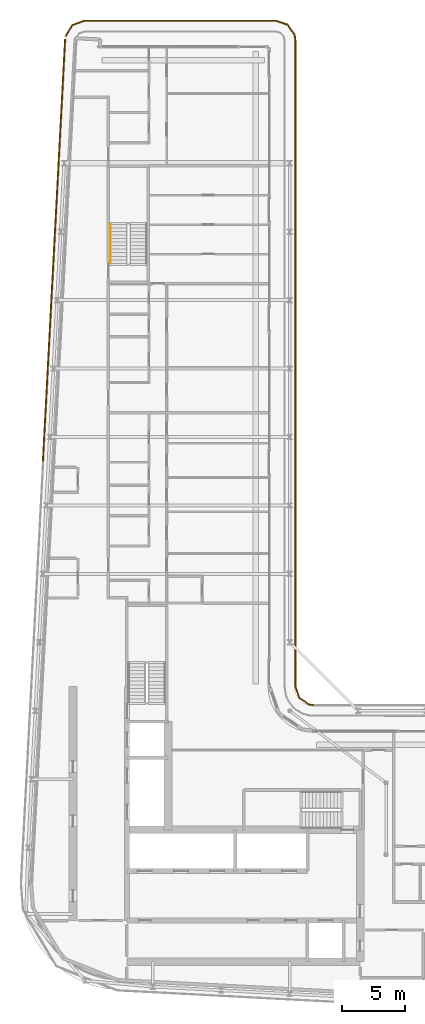
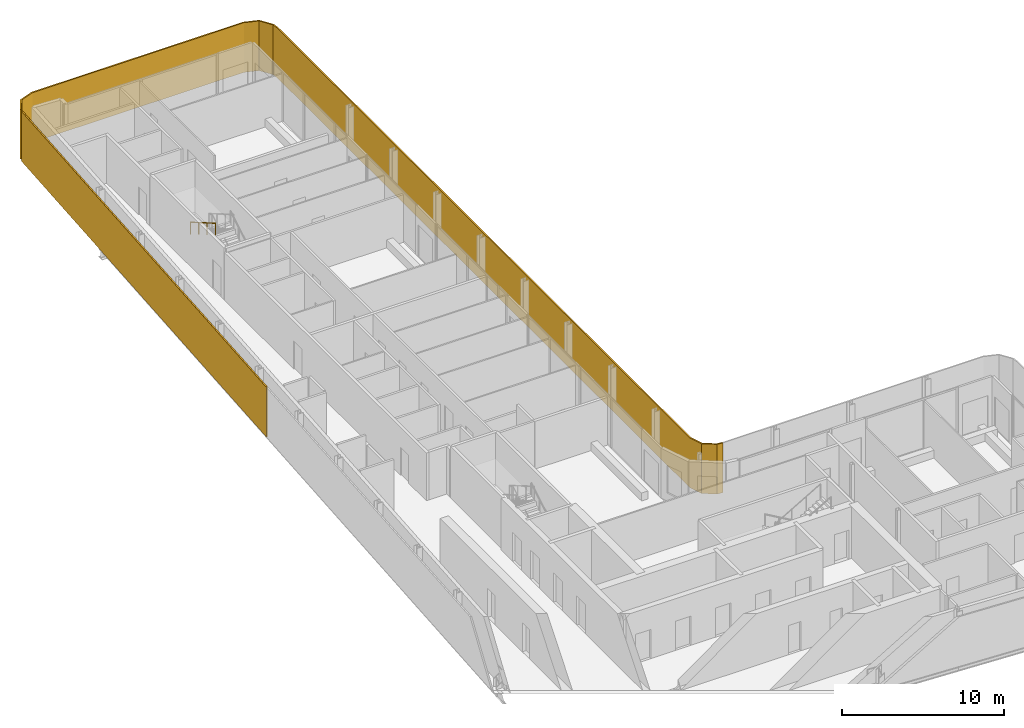
# One storey, part 19 of 21: 2 shading devices, 1 railing.
"""IFC4 building model written with IfcOpenShell, lengths in metres."""

from ifc_helpers import new_model, si_unit, direction, frame, origin, origin_2d, place, context, subcontext, project, spatial, polyline, rectangle, circle, outline, extrude, material, layer, layer_set, type_object, element, save


model = new_model("IFC4")

# Units and contexts
model_context = context("Model", 3, precision=1e-05, world=origin(), true_north=direction((0.0, 1.0)))
body_context = subcontext(model_context, "Body", "Model", "MODEL_VIEW")
ifc_project = project(units=[si_unit("LENGTHUNIT", "METRE"), si_unit("AREAUNIT", "SQUARE_METRE"), si_unit("VOLUMEUNIT", "CUBIC_METRE"), si_unit("PLANEANGLEUNIT", "RADIAN"), si_unit("MASSUNIT", "GRAM", prefix="KILO")], contexts=[model_context])

# Site, building, storey
site_placement = place(None, origin())
site = spatial("IfcSite", under=ifc_project, at=site_placement, CompositionType="ELEMENT")
building_placement = place(site_placement, origin())
building = spatial("IfcBuilding", under=site, at=building_placement, Name="Kheshtan School and Residences Tower", CompositionType="ELEMENT")
storey_placement = place(building_placement, frame((0.0, 0.0, 313.699951171875)))
storey = spatial("IfcBuildingStorey", under=building, at=storey_placement, Name="L74", CompositionType="ELEMENT", Elevation=313.699951171875)

# Shading devices
ifc_material_1 = material(Name="Terracotta baguette, extruded ceramic", Category="masonry")
ifc_layer_1 = layer(ifc_material_1, 0.10009765625)
ifc_layer_set_1 = layer_set([ifc_layer_1], Name="Ledge screen, terracotta baguettes")
shading_device_type_1 = type_object("IfcShadingDeviceType", Name="Ledge screen, terracotta baguettes", PredefinedType="USERDEFINED", material=ifc_layer_set_1)
shading_device_1_placement = place(storey_placement, frame((28.9990234375, 81.93408203125, 0.0), z_axis=(0.0, 0.0, 1.0), x_axis=(0.052562536748, 0.998617634398, 0.0)))
element("IfcShadingDevice", 1, at=shading_device_1_placement, inside=storey, type_object=shading_device_type_1, Name="Screen L74 5", ObjectType="BAGUETTE", PredefinedType="USERDEFINED", context=body_context, shape_type="SweptSolid", body=[
    extrude(rectangle(XDim=33.341064453125, YDim=0.10009765625, at=origin_2d()), origin(), (0.0, 0.0, 1.0), 3.75),
])
ifc_material_2 = material(Name="Terracotta lattice, extruded ceramic", Category="masonry")
ifc_layer_2 = layer(ifc_material_2, 0.10009765625)
ifc_layer_set_2 = layer_set([ifc_layer_2], Name="Loggia screen, terracotta lattice")
shading_device_type_2 = type_object("IfcShadingDeviceType", Name="Loggia screen, terracotta lattice", PredefinedType="USERDEFINED", material=ifc_layer_set_2)
shading_device_2_placement = place(storey_placement, origin())
element("IfcShadingDevice", 2, at=shading_device_2_placement, inside=storey, type_object=shading_device_type_2, Name="Screen L74 1", ObjectType="SCREEN", PredefinedType="USERDEFINED", context=body_context, shape_type="SweptSolid", body=[
    extrude(outline(polyline([(29.949951171875, 98.783935546875), (30.468017578125, 99.656982421875), (31.423095703125, 100.0), (46.5, 100.0), (47.4130859375, 99.68994140625), (47.948974609375, 98.887939453125), (48.0, 98.5), (48.0, 47.5), (48.31005859375, 46.5869140625), (49.112060546875, 46.051025390625), (49.5, 46.0), (49.512939453125, 46.09912109375), (49.14794921875, 46.14697265625), (48.39404296875, 46.65087890625), (48.10009765625, 47.51708984375), (48.10009765625, 98.507080078125), (48.044921875, 98.924072265625), (47.47705078125, 99.77392578125), (46.51708984375, 100.10009765625), (31.406005859375, 100.10009765625), (30.39990234375, 99.739013671875), (29.864013671875, 98.8349609375), (29.949951171875, 98.783935546875)])), origin(), (0.0, 0.0, 1.0), 3.75),
])

# Railing
ifc_material_3 = material(Name="Stainless steel handrail", Category="steel")
railing_type = type_object("IfcRailingType", Name="Stair handrail 900", PredefinedType="HANDRAIL", material=ifc_material_3)
railing_placement = place(storey_placement, frame((33.449951171875, 83.97998046875, 2.112548828125)))
element("IfcRailing", 3, at=railing_placement, inside=storey, type_object=railing_type, Name="L74 ST3 stair handrail 2", PredefinedType="HANDRAIL", context=body_context, shape_type="SweptSolid", body=[
    extrude(circle(Radius=0.02392578125, at=origin_2d()), frame((0.0, 0.0, 0.8759765625), z_axis=(0.0, -0.864890721111, 0.501960198159), x_axis=(1.0, 0.0, 0.0)), (0.0, 0.0, 1.0), 3.561279296875),
    extrude(circle(Radius=0.02099609375, at=origin_2d()), origin(), (0.0, 0.0, 1.0), 0.851806640625),
    extrude(circle(Radius=0.02099609375, at=origin_2d()), frame((0.0, -1.026611328125, 0.595947265625)), (0.0, 0.0, 1.0), 0.851806640625),
    extrude(circle(Radius=0.02099609375, at=origin_2d()), frame((0.0, -2.053466796875, 1.191650390625)), (0.0, 0.0, 1.0), 0.851806640625),
    extrude(circle(Radius=0.02099609375, at=origin_2d()), frame((0.0, -3.080078125, 1.78759765625)), (0.0, 0.0, 1.0), 0.851806640625),
])

save(model, "model.ifc")
